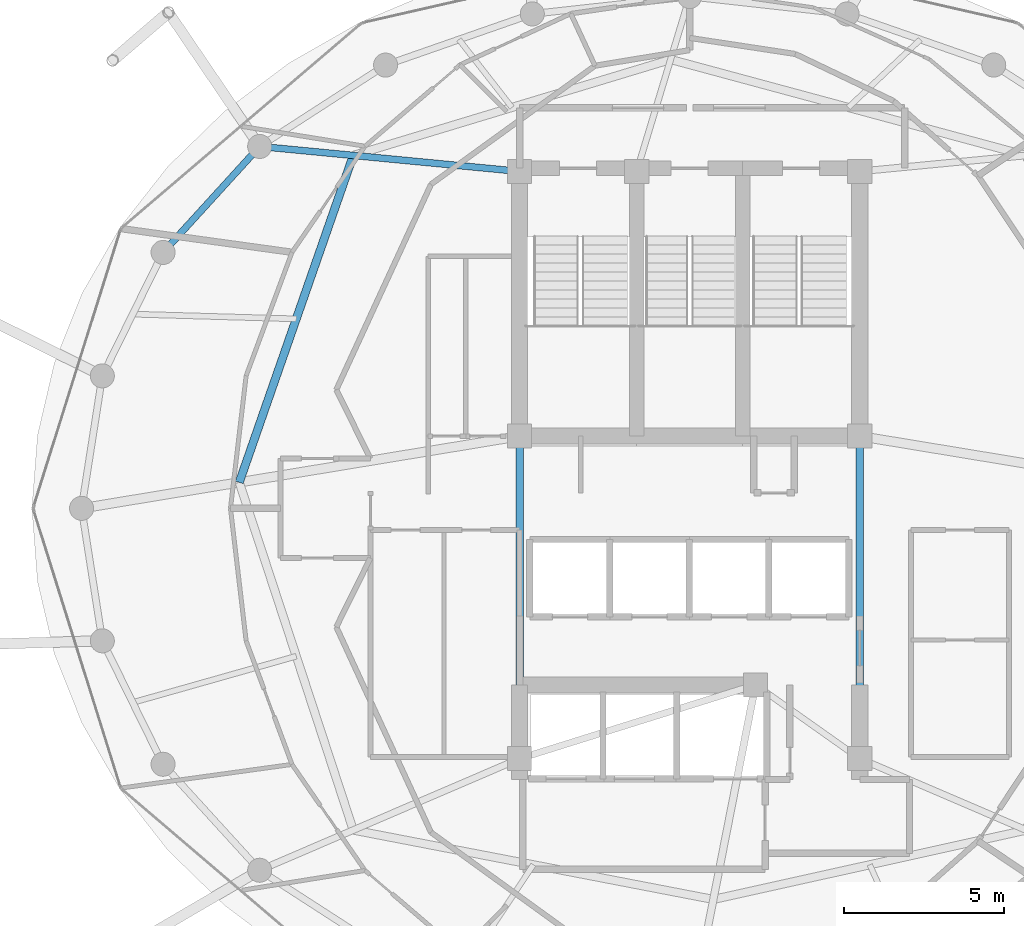
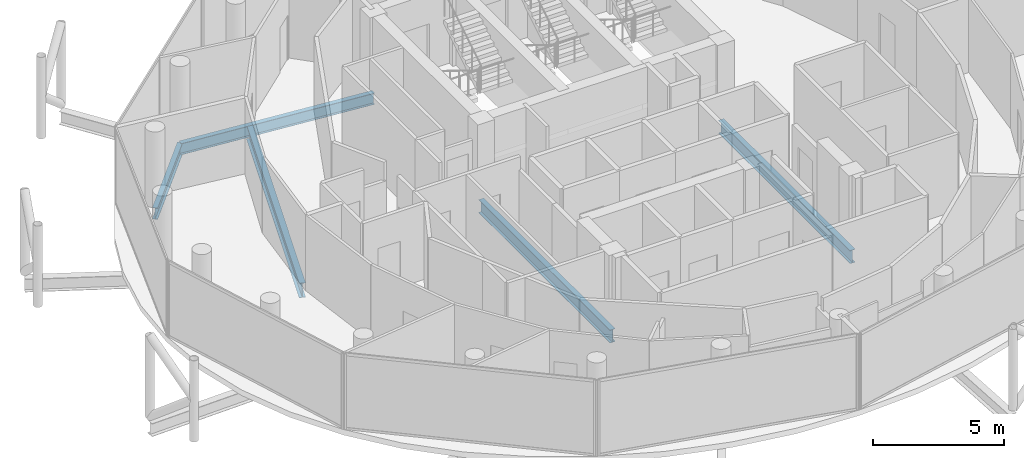
# One storey, part 8 of 24: 5 beams.
"""IFC4 building model written with IfcOpenShell, lengths in metres."""

from ifc_helpers import new_model, si_unit, direction, frame, origin, origin_2d, place, context, subcontext, project, spatial, i_section, extrude, material, material_profile, profile_set, type_object, element, save


model = new_model("IFC4")

# Units and contexts
model_context = context("Model", 3, precision=1e-05, world=origin(), true_north=direction((0.0, 1.0)))
body_context = subcontext(model_context, "Body", "Model", "MODEL_VIEW")
ifc_project = project(units=[si_unit("LENGTHUNIT", "METRE"), si_unit("AREAUNIT", "SQUARE_METRE"), si_unit("VOLUMEUNIT", "CUBIC_METRE"), si_unit("PLANEANGLEUNIT", "RADIAN"), si_unit("MASSUNIT", "GRAM", prefix="KILO")], contexts=[model_context])

# Site, building, storey
site_placement = place(None, origin())
site = spatial("IfcSite", under=ifc_project, at=site_placement, CompositionType="ELEMENT")
building_placement = place(site_placement, origin())
building = spatial("IfcBuilding", under=site, at=building_placement, Name="Nuhasar Tower", CompositionType="ELEMENT")
storey_placement = place(building_placement, frame((0.0, 0.0, 267.0)))
storey = spatial("IfcBuildingStorey", under=building, at=storey_placement, Name="L66", CompositionType="ELEMENT", Elevation=267.0)

# Beams
ifc_material = material(Name="Steel S355", Category="steel")
ifc_material_profile_1 = material_profile(ifc_material, i_section(OverallWidth=0.25390625, OverallDepth=0.68408203125, WebThickness=0.012451171875, FlangeThickness=0.018798828125, at=origin_2d()), Name="W27X94")
ifc_profile_set_1 = profile_set([ifc_material_profile_1], Name="Steel S355")
beam_type_1 = type_object("IfcBeamType", Name="BM-INRING-W27X94", PredefinedType="BEAM", material=ifc_profile_set_1)
beam_1_placement = place(storey_placement, frame((28.51611328125, 37.798095703125, -0.60205078125), z_axis=(-0.329211236979, -0.944256300718, 0.0), x_axis=(0.944256300718, -0.329211236979, 0.0)))
element("IfcBeam", 1, at=beam_1_placement, inside=storey, type_object=beam_type_1, Name="L66 Inner Header Beam 07", PredefinedType="BEAM", context=body_context, shape_type="SweptSolid", body=[
    extrude(i_section(OverallWidth=0.25390625, OverallDepth=0.68408203125, WebThickness=0.012451171875, FlangeThickness=0.018798828125, at=origin_2d()), origin(), (0.0, 0.0, 1.0), 10.78955078125),
])
ifc_material_profile_2 = material_profile(ifc_material, i_section(OverallWidth=0.208984375, OverallDepth=0.528076171875, WebThickness=0.009521484375, FlangeThickness=0.01318359375, at=origin_2d()), Name="W21X55")
ifc_profile_set_2 = profile_set([ifc_material_profile_2], Name="Steel S355")
beam_type_2 = type_object("IfcBeamType", Name="BM-RAD-W21X55", PredefinedType="BEAM", material=ifc_profile_set_2)
beam_2_placement = place(storey_placement, frame((33.699951171875, 37.300048828125, -0.52392578125), z_axis=(-0.99542073054, 0.095590633496, 0.0), x_axis=(-0.095590633496, -0.99542073054, 0.0)))
element("IfcBeam", 2, at=beam_2_placement, inside=storey, type_object=beam_type_2, Name="L66 Radial Floor Girder 07", PredefinedType="BEAM", context=body_context, shape_type="SweptSolid", body=[
    extrude(i_section(OverallWidth=0.208984375, OverallDepth=0.528076171875, WebThickness=0.009521484375, FlangeThickness=0.01318359375, at=origin_2d()), origin(), (0.0, 0.0, 1.0), 8.13720703125),
])
ifc_material_profile_3 = material_profile(ifc_material, i_section(OverallWidth=0.22900390625, OverallDepth=0.612060546875, WebThickness=0.011962890625, FlangeThickness=0.01953125, at=origin_2d()), Name="W24X84")
ifc_profile_set_3 = profile_set([ifc_material_profile_3], Name="Steel S355")
beam_type_3 = type_object("IfcBeamType", Name="BM-RAD-W24X84", PredefinedType="BEAM", material=ifc_profile_set_3)
for number, where, z_axis, x_axis, name in (
    (3, (44.300048828125, 19.0, -0.56591796875), (0.0, 1.0, 0.0), (-1.0, 0.0, 0.0), "L66 Core Ring Girder 3"),
    (4, (33.699951171875, 29.050048828125, -0.56591796875), (0.0, -1.0, 0.0), (1.0, 0.0, 0.0), "L66 Core Ring Girder 8"),
):
    element("IfcBeam", number, at=place(storey_placement, frame(where, z_axis=z_axis, x_axis=x_axis)), inside=storey, type_object=beam_type_3, Name=name, PredefinedType="BEAM", context=body_context, shape_type="SweptSolid", body=[
        extrude(i_section(OverallWidth=0.22900390625, OverallDepth=0.612060546875, WebThickness=0.011962890625, FlangeThickness=0.01953125, at=origin_2d()), origin(), (0.0, 0.0, 1.0), 10.050048828125),
    ])
ifc_material_profile_4 = material_profile(ifc_material, i_section(OverallWidth=0.2099609375, OverallDepth=0.537109375, WebThickness=0.010986328125, FlangeThickness=0.017333984375, at=origin_2d()), Name="W21X68")
ifc_profile_set_4 = profile_set([ifc_material_profile_4], Name="Steel S355")
beam_type_4 = type_object("IfcBeamType", Name="BM-RING-W21X68", PredefinedType="SPANDREL", material=ifc_profile_set_4)
beam_3_placement = place(storey_placement, frame((25.60009765625, 38.077880859375, -0.529052734375), z_axis=(-0.673686302939, -0.739017432293, 0.0), x_axis=(0.739017432293, -0.673686302939, 0.0)))
element("IfcBeam", 5, at=beam_3_placement, inside=storey, type_object=beam_type_4, Name="L66 Perimeter Ring Spandrel 10", PredefinedType="SPANDREL", context=body_context, shape_type="SweptSolid", body=[
    extrude(i_section(OverallWidth=0.2099609375, OverallDepth=0.537109375, WebThickness=0.010986328125, FlangeThickness=0.017333984375, at=origin_2d()), origin(), (0.0, 0.0, 1.0), 4.469482421875),
])

save(model, "model.ifc")
